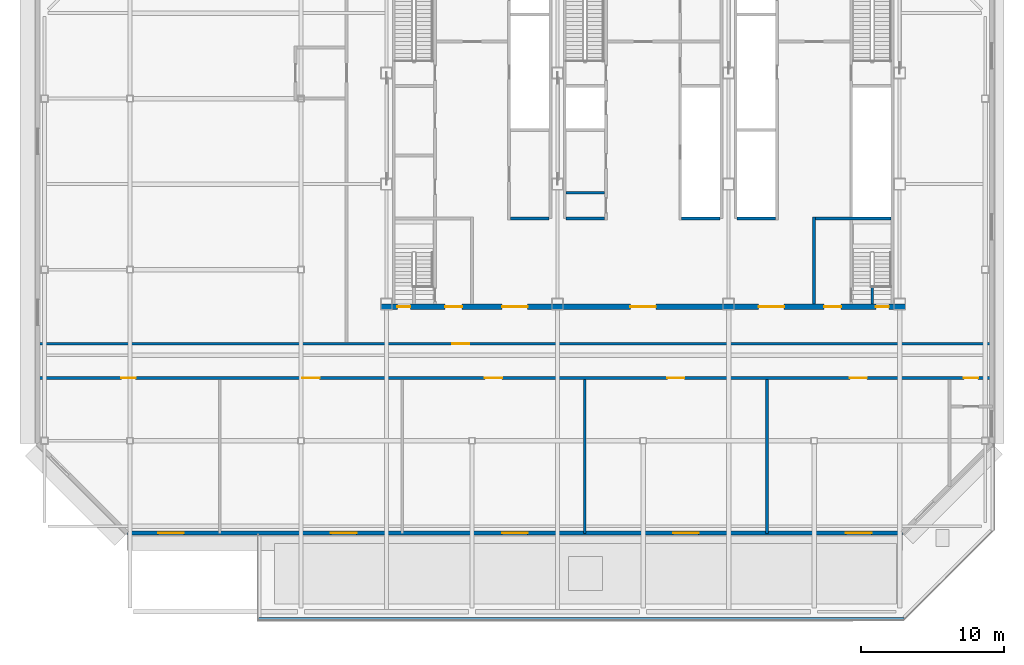
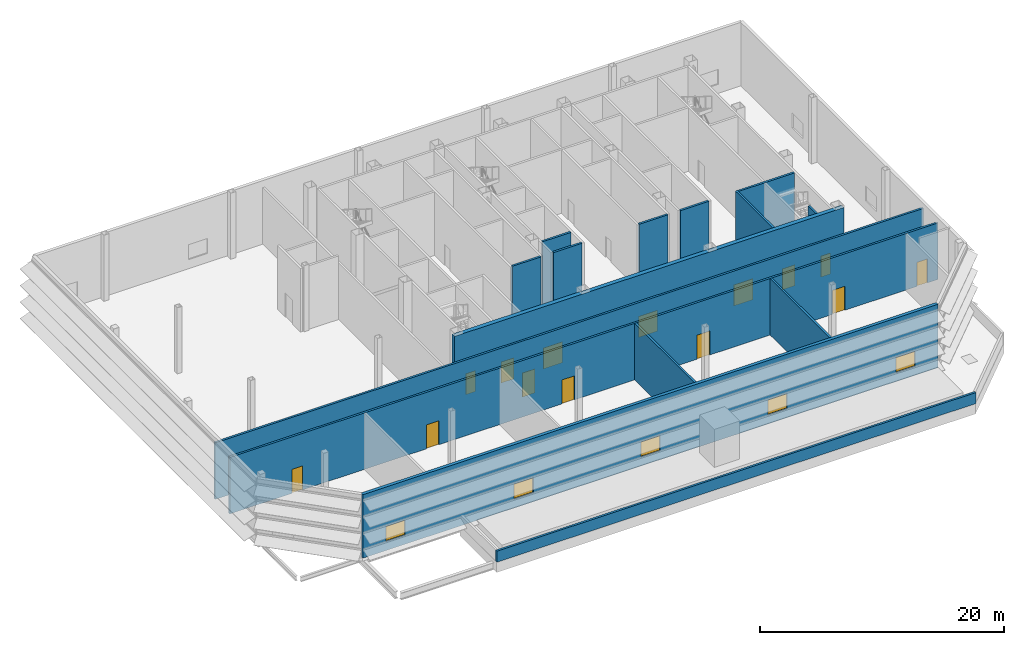
# One storey, part 5 of 14: 15 walls, 14 doors, 5 windows, 19 openings.
"""IFC4 building model written with IfcOpenShell, lengths in metres."""

from ifc_helpers import new_model, si_unit, direction, frame, frame_2d, origin, place, context, subcontext, project, spatial, rectangle, extrude, material, layer, layer_set, type_object, element, fill, save


model = new_model("IFC4")

# Units and contexts
model_context = context("Model", 3, precision=1e-05, world=origin(), true_north=direction((0.0, 1.0)))
body_context = subcontext(model_context, "Body", "Model", "MODEL_VIEW")
ifc_project = project(units=[si_unit("LENGTHUNIT", "METRE"), si_unit("AREAUNIT", "SQUARE_METRE"), si_unit("VOLUMEUNIT", "CUBIC_METRE"), si_unit("PLANEANGLEUNIT", "RADIAN"), si_unit("MASSUNIT", "GRAM", prefix="KILO")], contexts=[model_context])

# Site, building, storey
site_placement = place(None, origin())
site = spatial("IfcSite", under=ifc_project, at=site_placement, CompositionType="ELEMENT")
building_placement = place(site_placement, origin())
building = spatial("IfcBuilding", under=site, at=building_placement, Name="Sorahane Residences", CompositionType="ELEMENT")
storey_placement = place(building_placement, frame((0.0, 0.0, 331.199951171875)))
storey = spatial("IfcBuildingStorey", under=building, at=storey_placement, Name="L79", CompositionType="ELEMENT", Elevation=331.199951171875)

# Wall, opening, door
ifc_material_1 = material(Name="Concrete blockwork C20 wall", Category="masonry")
ifc_layer_1 = layer(ifc_material_1, 0.199951171875)
ifc_layer_set_1 = layer_set([ifc_layer_1], Name="Corridor wall 200 EI 120")
wall_type_1 = type_object("IfcWallType", Name="Corridor wall 200 EI 120", PredefinedType="SOLIDWALL", material=ifc_layer_set_1)
wall_1_placement = place(storey_placement, frame((-18.5, 18.800048828125, 0.0), z_axis=(0.0, 0.0, 1.0), x_axis=(1.0, 0.0, 0.0)))
wall_1 = element("IfcWall", 1, at=wall_1_placement, inside=storey, type_object=wall_type_1, Name="L79 corridor wall", PredefinedType="SOLIDWALL", context=body_context, shape_type="SweptSolid", body=[
    extrude(rectangle(XDim=67.0, YDim=0.199951171875, at=frame_2d((33.5, 0.0))), origin(), (0.0, 0.0, 1.0), 5.650146484375),
])
opening_1_placement = place(wall_1_placement, frame((29.10009765625, 0.0, 0.0)))
opening_1 = element("IfcOpeningElement", 2, at=opening_1_placement, cuts=wall_1, Name="Opening L79-08", PredefinedType="OPENING", context=body_context, shape_type="SweptSolid", body=[
    extrude(rectangle(XDim=1.199951171875, YDim=2.39990234375, at=frame_2d((0.60009765625, 1.199951171875))), frame((0.0, 0.10986328125, 0.0), z_axis=(0.0, -1.0, 0.0), x_axis=(1.0, 0.0, 0.0)), (0.0, 0.0, 1.0), 0.219970703125),
])
ifc_material_2 = material(Name="Steel", Category="steel")
door_type_1 = type_object("IfcDoorType", Name="Lobby door 1200x2400 FD60", OperationType="NOTDEFINED", PredefinedType="DOOR", material=ifc_material_2)
door_1_placement = place(opening_1_placement, frame((1.199951171875, 0.0, 0.0), z_axis=(0.0, 0.0, 1.0), x_axis=(-1.0, 0.0, 0.0)))
door_1 = element("IfcDoor", 3, at=door_1_placement, inside=storey, type_object=door_type_1, Name="Lobby door L79-08", OperationType="SINGLE_SWING_LEFT", OverallHeight=2.39990234375, OverallWidth=1.199951171875, PredefinedType="DOOR", context=body_context, shape_type="SweptSolid", body=[
    extrude(rectangle(XDim=1.199951171875, YDim=2.39990234375, at=frame_2d((0.60009765625, 1.199951171875))), frame((0.0, 0.02490234375, 0.0), z_axis=(0.0, -1.0, 0.0), x_axis=(1.0, 0.0, 0.0)), (0.0, 0.0, 1.0), 0.050048828125),
])
fill(opening_1, door_1)

# Wall, openings, windows
ifc_material_3 = material(Name="Graphite insulated metal-clad wall")
ifc_layer_2 = layer(ifc_material_3, 0.300048828125)
ifc_layer_set_2 = layer_set([ifc_layer_2], Name="External wall insulated metal-clad 300")
wall_type_2 = type_object("IfcWallType", Name="External wall insulated metal-clad 300", PredefinedType="SOLIDWALL", material=ifc_layer_set_2)
wall_2_placement = place(storey_placement, frame((-12.194580078125, 5.530029296875, 0.0), z_axis=(0.0, 0.0, 1.0), x_axis=(1.0, 0.0, 0.0)))
wall_2 = element("IfcWall", 4, at=wall_2_placement, inside=storey, type_object=wall_type_2, Name="External plant wall L79 S1", PredefinedType="SOLIDWALL", context=body_context, shape_type="SweptSolid", body=[
    extrude(rectangle(XDim=54.38916015625, YDim=0.300048828125, at=frame_2d((27.194580078125, 0.0))), origin(), (0.0, 0.0, 1.0), 6.35009765625),
])
opening_2_placement = place(wall_2_placement, frame((2.17041015625, 0.0, 0.89990234375)))
opening_2 = element("IfcOpeningElement", 5, at=opening_2_placement, cuts=wall_2, Name="Opening W-R1", PredefinedType="OPENING", context=body_context, shape_type="SweptSolid", body=[
    extrude(rectangle(XDim=1.800048828125, YDim=1.5, at=frame_2d((0.89990234375, 0.75))), frame((0.0, 0.159912109375, 0.0), z_axis=(0.0, -1.0, 0.0), x_axis=(1.0, 0.0, 0.0)), (0.0, 0.0, 1.0), 0.320068359375),
])
opening_3_placement = place(wall_2_placement, frame((14.294677734375, 0.0, 0.89990234375)))
opening_3 = element("IfcOpeningElement", 6, at=opening_3_placement, cuts=wall_2, Name="Opening W-R1", PredefinedType="OPENING", context=body_context, shape_type="SweptSolid", body=[
    extrude(rectangle(XDim=1.800048828125, YDim=1.5, at=frame_2d((0.89990234375, 0.75))), frame((0.0, 0.159912109375, 0.0), z_axis=(0.0, -1.0, 0.0), x_axis=(1.0, 0.0, 0.0)), (0.0, 0.0, 1.0), 0.320068359375),
])
opening_4_placement = place(wall_2_placement, frame((26.294677734375, 0.0, 0.89990234375)))
opening_4 = element("IfcOpeningElement", 7, at=opening_4_placement, cuts=wall_2, Name="Opening W-R1", PredefinedType="OPENING", context=body_context, shape_type="SweptSolid", body=[
    extrude(rectangle(XDim=1.800048828125, YDim=1.5, at=frame_2d((0.89990234375, 0.75))), frame((0.0, 0.159912109375, 0.0), z_axis=(0.0, -1.0, 0.0), x_axis=(1.0, 0.0, 0.0)), (0.0, 0.0, 1.0), 0.320068359375),
])
opening_5_placement = place(wall_2_placement, frame((38.294677734375, 0.0, 0.89990234375)))
opening_5 = element("IfcOpeningElement", 8, at=opening_5_placement, cuts=wall_2, Name="Opening W-R1", PredefinedType="OPENING", context=body_context, shape_type="SweptSolid", body=[
    extrude(rectangle(XDim=1.800048828125, YDim=1.5, at=frame_2d((0.89990234375, 0.75))), frame((0.0, 0.159912109375, 0.0), z_axis=(0.0, -1.0, 0.0), x_axis=(1.0, 0.0, 0.0)), (0.0, 0.0, 1.0), 0.320068359375),
])
opening_6_placement = place(wall_2_placement, frame((50.4189453125, 0.0, 0.89990234375)))
opening_6 = element("IfcOpeningElement", 9, at=opening_6_placement, cuts=wall_2, Name="Opening W-R1", PredefinedType="OPENING", context=body_context, shape_type="SweptSolid", body=[
    extrude(rectangle(XDim=1.800048828125, YDim=1.5, at=frame_2d((0.89990234375, 0.75))), frame((0.0, 0.159912109375, 0.0), z_axis=(0.0, -1.0, 0.0), x_axis=(1.0, 0.0, 0.0)), (0.0, 0.0, 1.0), 0.320068359375),
])
ifc_material_4 = material(Name="Dark aluminium and glass", Category="aluminium")
window_type = type_object("IfcWindowType", Name="Openable Class B fire window dark aluminium 1800x1500", PartitioningType="SINGLE_PANEL", PredefinedType="WINDOW", material=ifc_material_4)
window_1_placement = place(opening_2_placement, origin())
window_1 = element("IfcWindow", 10, at=window_1_placement, inside=storey, type_object=window_type, Name="Openable fire window L79 S1.1", OverallHeight=1.5, OverallWidth=1.800048828125, PartitioningType="SINGLE_PANEL", PredefinedType="WINDOW", context=body_context, shape_type="SweptSolid", body=[
    extrude(rectangle(XDim=1.800048828125, YDim=1.5, at=frame_2d((0.89990234375, 0.75))), frame((0.0, 0.030029296875, 0.0), z_axis=(0.0, -1.0, 0.0), x_axis=(1.0, 0.0, 0.0)), (0.0, 0.0, 1.0), 0.06005859375),
])
fill(opening_2, window_1)
window_2_placement = place(opening_3_placement, origin())
window_2 = element("IfcWindow", 11, at=window_2_placement, inside=storey, type_object=window_type, Name="Openable fire window L79 S1.3", OverallHeight=1.5, OverallWidth=1.800048828125, PartitioningType="SINGLE_PANEL", PredefinedType="WINDOW", context=body_context, shape_type="SweptSolid", body=[
    extrude(rectangle(XDim=1.800048828125, YDim=1.5, at=frame_2d((0.89990234375, 0.75))), frame((0.0, 0.030029296875, 0.0), z_axis=(0.0, -1.0, 0.0), x_axis=(1.0, 0.0, 0.0)), (0.0, 0.0, 1.0), 0.06005859375),
])
fill(opening_3, window_2)
window_3_placement = place(opening_4_placement, origin())
window_3 = element("IfcWindow", 12, at=window_3_placement, inside=storey, type_object=window_type, Name="Openable fire window L79 S1.5", OverallHeight=1.5, OverallWidth=1.800048828125, PartitioningType="SINGLE_PANEL", PredefinedType="WINDOW", context=body_context, shape_type="SweptSolid", body=[
    extrude(rectangle(XDim=1.800048828125, YDim=1.5, at=frame_2d((0.89990234375, 0.75))), frame((0.0, 0.030029296875, 0.0), z_axis=(0.0, -1.0, 0.0), x_axis=(1.0, 0.0, 0.0)), (0.0, 0.0, 1.0), 0.06005859375),
])
fill(opening_4, window_3)
window_4_placement = place(opening_5_placement, origin())
window_4 = element("IfcWindow", 13, at=window_4_placement, inside=storey, type_object=window_type, Name="Openable fire window L79 S1.7", OverallHeight=1.5, OverallWidth=1.800048828125, PartitioningType="SINGLE_PANEL", PredefinedType="WINDOW", context=body_context, shape_type="SweptSolid", body=[
    extrude(rectangle(XDim=1.800048828125, YDim=1.5, at=frame_2d((0.89990234375, 0.75))), frame((0.0, 0.030029296875, 0.0), z_axis=(0.0, -1.0, 0.0), x_axis=(1.0, 0.0, 0.0)), (0.0, 0.0, 1.0), 0.06005859375),
])
fill(opening_5, window_4)
window_5_placement = place(opening_6_placement, origin())
window_5 = element("IfcWindow", 14, at=window_5_placement, inside=storey, type_object=window_type, Name="Openable fire window L79 S1.9", OverallHeight=1.5, OverallWidth=1.800048828125, PartitioningType="SINGLE_PANEL", PredefinedType="WINDOW", context=body_context, shape_type="SweptSolid", body=[
    extrude(rectangle(XDim=1.800048828125, YDim=1.5, at=frame_2d((0.89990234375, 0.75))), frame((0.0, 0.030029296875, 0.0), z_axis=(0.0, -1.0, 0.0), x_axis=(1.0, 0.0, 0.0)), (0.0, 0.0, 1.0), 0.06005859375),
])
fill(opening_6, window_5)

# Wall, openings, doors
ifc_material_5 = material(Name="Concrete blockwork C20 wall", Category="masonry")
ifc_layer_3 = layer(ifc_material_5, 0.199951171875)
ifc_layer_set_3 = layer_set([ifc_layer_3], Name="Fire wall 200 EI 120")
wall_type_3 = type_object("IfcWallType", Name="Fire wall 200 EI 120", PredefinedType="SOLIDWALL", material=ifc_layer_set_3)
wall_3_placement = place(storey_placement, frame((-18.5, 16.39990234375, 0.0), z_axis=(0.0, 0.0, 1.0), x_axis=(1.0, 0.0, 0.0)))
wall_3 = element("IfcWall", 15, at=wall_3_placement, inside=storey, type_object=wall_type_3, Name="L79 fire wall", PredefinedType="SOLIDWALL", context=body_context, shape_type="SweptSolid", body=[
    extrude(rectangle(XDim=67.0, YDim=0.199951171875, at=frame_2d((33.5, 0.0))), origin(), (0.0, 0.0, 1.0), 5.650146484375),
])
opening_7_placement = place(wall_3_placement, frame((5.89990234375, 0.0, 0.0)))
opening_7 = element("IfcOpeningElement", 16, at=opening_7_placement, cuts=wall_3, Name="Opening L79-01", PredefinedType="OPENING", context=body_context, shape_type="SweptSolid", body=[
    extrude(rectangle(XDim=1.0, YDim=2.39990234375, at=frame_2d((0.5, 1.199951171875))), frame((0.0, 0.10986328125, 0.0), z_axis=(0.0, -1.0, 0.0), x_axis=(1.0, 0.0, 0.0)), (0.0, 0.0, 1.0), 0.219970703125),
])
opening_8_placement = place(wall_3_placement, frame((18.60009765625, 0.0, 0.0)))
opening_8 = element("IfcOpeningElement", 17, at=opening_8_placement, cuts=wall_3, Name="Opening L79-02", PredefinedType="OPENING", context=body_context, shape_type="SweptSolid", body=[
    extrude(rectangle(XDim=1.199951171875, YDim=2.39990234375, at=frame_2d((0.60009765625, 1.199951171875))), frame((0.0, 0.10986328125, 0.0), z_axis=(0.0, -1.0, 0.0), x_axis=(1.0, 0.0, 0.0)), (0.0, 0.0, 1.0), 0.219970703125),
])
opening_9_placement = place(wall_3_placement, frame((31.39990234375, 0.0, 0.0)))
opening_9 = element("IfcOpeningElement", 18, at=opening_9_placement, cuts=wall_3, Name="Opening L79-03", PredefinedType="OPENING", context=body_context, shape_type="SweptSolid", body=[
    extrude(rectangle(XDim=1.199951171875, YDim=2.39990234375, at=frame_2d((0.60009765625, 1.199951171875))), frame((0.0, 0.10986328125, 0.0), z_axis=(0.0, -1.0, 0.0), x_axis=(1.0, 0.0, 0.0)), (0.0, 0.0, 1.0), 0.219970703125),
])
opening_10_placement = place(wall_3_placement, frame((44.199951171875, 0.0, 0.0)))
opening_10 = element("IfcOpeningElement", 19, at=opening_10_placement, cuts=wall_3, Name="Opening L79-04", PredefinedType="OPENING", context=body_context, shape_type="SweptSolid", body=[
    extrude(rectangle(XDim=1.199951171875, YDim=2.39990234375, at=frame_2d((0.60009765625, 1.199951171875))), frame((0.0, 0.10986328125, 0.0), z_axis=(0.0, -1.0, 0.0), x_axis=(1.0, 0.0, 0.0)), (0.0, 0.0, 1.0), 0.219970703125),
])
opening_11_placement = place(wall_3_placement, frame((57.0, 0.0, 0.0)))
opening_11 = element("IfcOpeningElement", 20, at=opening_11_placement, cuts=wall_3, Name="Opening L79-05", PredefinedType="OPENING", context=body_context, shape_type="SweptSolid", body=[
    extrude(rectangle(XDim=1.199951171875, YDim=2.39990234375, at=frame_2d((0.60009765625, 1.199951171875))), frame((0.0, 0.10986328125, 0.0), z_axis=(0.0, -1.0, 0.0), x_axis=(1.0, 0.0, 0.0)), (0.0, 0.0, 1.0), 0.219970703125),
])
opening_12_placement = place(wall_3_placement, frame((65.0, 0.0, 0.0)))
opening_12 = element("IfcOpeningElement", 21, at=opening_12_placement, cuts=wall_3, Name="Opening L79-06", PredefinedType="OPENING", context=body_context, shape_type="SweptSolid", body=[
    extrude(rectangle(XDim=1.0, YDim=2.39990234375, at=frame_2d((0.5, 1.199951171875))), frame((0.0, 0.10986328125, 0.0), z_axis=(0.0, -1.0, 0.0), x_axis=(1.0, 0.0, 0.0)), (0.0, 0.0, 1.0), 0.219970703125),
])
ifc_material_6 = material(Name="Steel", Category="steel")
door_type_2 = type_object("IfcDoorType", Name="Fire door 1000x2400 FD60", OperationType="NOTDEFINED", PredefinedType="DOOR", material=ifc_material_6)
door_2_placement = place(opening_7_placement, origin())
door_2 = element("IfcDoor", 22, at=door_2_placement, inside=storey, type_object=door_type_2, Name="Fire door L79-01", OperationType="SINGLE_SWING_LEFT", OverallHeight=2.39990234375, OverallWidth=1.0, PredefinedType="DOOR", context=body_context, shape_type="SweptSolid", body=[
    extrude(rectangle(XDim=1.0, YDim=2.39990234375, at=frame_2d((0.5, 1.199951171875))), frame((0.0, 0.02490234375, 0.0), z_axis=(0.0, -1.0, 0.0), x_axis=(1.0, 0.0, 0.0)), (0.0, 0.0, 1.0), 0.050048828125),
])
fill(opening_7, door_2)
door_3_placement = place(opening_12_placement, origin())
door_3 = element("IfcDoor", 23, at=door_3_placement, inside=storey, type_object=door_type_2, Name="Fire door L79-06", OperationType="SINGLE_SWING_RIGHT", OverallHeight=2.39990234375, OverallWidth=1.0, PredefinedType="DOOR", context=body_context, shape_type="SweptSolid", body=[
    extrude(rectangle(XDim=1.0, YDim=2.39990234375, at=frame_2d((0.5, 1.199951171875))), frame((0.0, 0.02490234375, 0.0), z_axis=(0.0, -1.0, 0.0), x_axis=(1.0, 0.0, 0.0)), (0.0, 0.0, 1.0), 0.050048828125),
])
fill(opening_12, door_3)
ifc_material_7 = material(Name="Steel", Category="steel")
door_type_3 = type_object("IfcDoorType", Name="Plant door 1200x2400 FD60", OperationType="NOTDEFINED", PredefinedType="DOOR", material=ifc_material_7)
door_4_placement = place(opening_8_placement, origin())
door_4 = element("IfcDoor", 24, at=door_4_placement, inside=storey, type_object=door_type_3, Name="Plant door L79-02", OperationType="SINGLE_SWING_RIGHT", OverallHeight=2.39990234375, OverallWidth=1.199951171875, PredefinedType="DOOR", context=body_context, shape_type="SweptSolid", body=[
    extrude(rectangle(XDim=1.199951171875, YDim=2.39990234375, at=frame_2d((0.60009765625, 1.199951171875))), frame((0.0, 0.02490234375, 0.0), z_axis=(0.0, -1.0, 0.0), x_axis=(1.0, 0.0, 0.0)), (0.0, 0.0, 1.0), 0.050048828125),
])
fill(opening_8, door_4)
door_5_placement = place(opening_9_placement, frame((1.199951171875, 0.0, 0.0), z_axis=(0.0, 0.0, 1.0), x_axis=(-1.0, 0.0, 0.0)))
door_5 = element("IfcDoor", 25, at=door_5_placement, inside=storey, type_object=door_type_3, Name="Plant door L79-03", OperationType="SINGLE_SWING_RIGHT", OverallHeight=2.39990234375, OverallWidth=1.199951171875, PredefinedType="DOOR", context=body_context, shape_type="SweptSolid", body=[
    extrude(rectangle(XDim=1.199951171875, YDim=2.39990234375, at=frame_2d((0.60009765625, 1.199951171875))), frame((0.0, 0.02490234375, 0.0), z_axis=(0.0, -1.0, 0.0), x_axis=(1.0, 0.0, 0.0)), (0.0, 0.0, 1.0), 0.050048828125),
])
fill(opening_9, door_5)
door_6_placement = place(opening_10_placement, frame((1.199951171875, 0.0, 0.0), z_axis=(0.0, 0.0, 1.0), x_axis=(-1.0, 0.0, 0.0)))
door_6 = element("IfcDoor", 26, at=door_6_placement, inside=storey, type_object=door_type_3, Name="Plant door L79-04", OperationType="SINGLE_SWING_LEFT", OverallHeight=2.39990234375, OverallWidth=1.199951171875, PredefinedType="DOOR", context=body_context, shape_type="SweptSolid", body=[
    extrude(rectangle(XDim=1.199951171875, YDim=2.39990234375, at=frame_2d((0.60009765625, 1.199951171875))), frame((0.0, 0.02490234375, 0.0), z_axis=(0.0, -1.0, 0.0), x_axis=(1.0, 0.0, 0.0)), (0.0, 0.0, 1.0), 0.050048828125),
])
fill(opening_10, door_6)
door_7_placement = place(opening_11_placement, origin())
door_7 = element("IfcDoor", 27, at=door_7_placement, inside=storey, type_object=door_type_3, Name="Plant door L79-05", OperationType="SINGLE_SWING_LEFT", OverallHeight=2.39990234375, OverallWidth=1.199951171875, PredefinedType="DOOR", context=body_context, shape_type="SweptSolid", body=[
    extrude(rectangle(XDim=1.199951171875, YDim=2.39990234375, at=frame_2d((0.60009765625, 1.199951171875))), frame((0.0, 0.02490234375, 0.0), z_axis=(0.0, -1.0, 0.0), x_axis=(1.0, 0.0, 0.0)), (0.0, 0.0, 1.0), 0.050048828125),
])
fill(opening_11, door_7)

# Walls
ifc_material_8 = material(Name="Concrete C30", Category="concrete")
ifc_layer_4 = layer(ifc_material_8, 0.199951171875)
ifc_layer_set_4 = layer_set([ifc_layer_4], Name="Front room wall 200 EI 120")
wall_type_4 = type_object("IfcWallType", Name="Front room wall 200 EI 120", PredefinedType="PARTITIONING", material=ifc_layer_set_4)
wall_4_placement = place(storey_placement, frame((36.0, 21.60009765625, 0.0), z_axis=(0.0, 0.0, 1.0), x_axis=(0.0, 1.0, 0.0)))
element("IfcWall", 28, at=wall_4_placement, inside=storey, type_object=wall_type_4, Name="L79 front room wall", PredefinedType="PARTITIONING", context=body_context, shape_type="SweptSolid", body=[
    extrude(rectangle(XDim=6.099853515625, YDim=0.199951171875, at=frame_2d((3.0498046875, 0.0))), origin(), (0.0, 0.0, 1.0), 6.35009765625),
])
ifc_material_9 = material(Name="Concrete C30", Category="concrete")
ifc_layer_5 = layer(ifc_material_9, 0.199951171875)
ifc_layer_set_5 = layer_set([ifc_layer_5], Name="Lift shaft wall 200 EI 120")
wall_type_5 = type_object("IfcWallType", Name="Lift shaft wall 200 EI 120", PredefinedType="SOLIDWALL", material=ifc_layer_set_5)
wall_5_placement = place(storey_placement, frame((30.60009765625, 27.60009765625, 0.0), z_axis=(0.0, 0.0, 1.0), x_axis=(1.0, 0.0, 0.0)))
element("IfcWall", 29, at=wall_5_placement, inside=storey, type_object=wall_type_5, Name="L79 lift shaft wall", PredefinedType="SOLIDWALL", context=body_context, shape_type="SweptSolid", body=[
    extrude(rectangle(XDim=2.699951171875, YDim=0.199951171875, at=frame_2d((1.35009765625, 0.0))), origin(), (0.0, 0.0, 1.0), 6.35009765625),
])
ifc_material_10 = material(Name="Concrete C35", Category="concrete")
ifc_layer_6 = layer(ifc_material_10, 0.199951171875)
ifc_layer_set_6 = layer_set([ifc_layer_6], Name="Parapet wall Concrete C35 200")
wall_type_6 = type_object("IfcWallType", Name="Parapet wall Concrete C35 200", PredefinedType="PARAPET", material=ifc_layer_set_6)
wall_6_placement = place(storey_placement, frame((42.30712890625, -0.5, 0.0), z_axis=(0.0, 0.0, 1.0), x_axis=(-1.0, 0.0, 0.0)))
element("IfcWall", 30, at=wall_6_placement, inside=storey, type_object=wall_type_6, Name="Roof parapet L79.1.1.3", PredefinedType="PARAPET", context=body_context, shape_type="SweptSolid", body=[
    extrude(rectangle(XDim=45.30712890625, YDim=0.199951171875, at=frame_2d((22.653564453125, 0.0))), origin(), (0.0, 0.0, 1.0), 1.10009765625),
])
ifc_material_11 = material(Name="Concrete blockwork C20 wall", Category="masonry")
ifc_layer_7 = layer(ifc_material_11, 0.199951171875)
ifc_layer_set_7 = layer_set([ifc_layer_7], Name="Plant wall 200 EI 120")
wall_type_7 = type_object("IfcWallType", Name="Plant wall 200 EI 120", PredefinedType="SOLIDWALL", material=ifc_layer_set_7)
for number, where, z_axis, x_axis, name in (
    (31, (19.89990234375, 5.5, 0.0), (0.0, 0.0, 1.0), (0.0, 1.0, 0.0), "L79 plant wall"),
    (32, (32.699951171875, 5.5, 0.0), (0.0, 0.0, 1.0), (0.0, 1.0, 0.0), "L79 plant wall"),
):
    element("IfcWall", number, at=place(storey_placement, frame(where, z_axis=z_axis, x_axis=x_axis)), inside=storey, type_object=wall_type_7, Name=name, PredefinedType="SOLIDWALL", context=body_context, shape_type="SweptSolid", body=[
        extrude(rectangle(XDim=10.800048828125, YDim=0.199951171875, at=frame_2d((5.39990234375, 0.0))), origin(), (0.0, 0.0, 1.0), 5.650146484375),
    ])
ifc_material_12 = material(Name="Concrete C30", Category="concrete")
ifc_layer_8 = layer(ifc_material_12, 0.199951171875)
ifc_layer_set_8 = layer_set([ifc_layer_8], Name="Riser shaft wall 200 EI 120")
wall_type_8 = type_object("IfcWallType", Name="Riser shaft wall 200 EI 120", PredefinedType="SOLIDWALL", material=ifc_layer_set_8)
wall_7_placement = place(storey_placement, frame((26.699951171875, 27.60009765625, 0.0), z_axis=(0.0, 0.0, 1.0), x_axis=(1.0, 0.0, 0.0)))
element("IfcWall", 33, at=wall_7_placement, inside=storey, type_object=wall_type_8, Name="L79 riser wall", PredefinedType="SOLIDWALL", context=body_context, shape_type="SweptSolid", body=[
    extrude(rectangle(XDim=2.699951171875, YDim=0.199951171875, at=frame_2d((1.35009765625, 0.0))), origin(), (0.0, 0.0, 1.0), 6.35009765625),
])
ifc_material_13 = material(Name="Concrete C30", Category="concrete")
ifc_layer_9 = layer(ifc_material_13, 0.199951171875)
ifc_layer_set_9 = layer_set([ifc_layer_9], Name="Service room partition 200 EI 60")
wall_type_9 = type_object("IfcWallType", Name="Service room partition 200 EI 60", PredefinedType="PARTITIONING", material=ifc_layer_set_9)
for number, where, z_axis, x_axis, name in (
    (34, (14.699951171875, 27.60009765625, 0.0), (0.0, 0.0, 1.0), (1.0, 0.0, 0.0), "L79 service room wall"),
    (35, (18.60009765625, 27.60009765625, 0.0), (0.0, 0.0, 1.0), (1.0, 0.0, 0.0), "L79 service room wall"),
    (36, (18.60009765625, 29.39990234375, 0.0), (0.0, 0.0, 1.0), (1.0, 0.0, 0.0), "L79 service room wall"),
):
    element("IfcWall", number, at=place(storey_placement, frame(where, z_axis=z_axis, x_axis=x_axis)), inside=storey, type_object=wall_type_9, Name=name, PredefinedType="PARTITIONING", context=body_context, shape_type="SweptSolid", body=[
        extrude(rectangle(XDim=2.699951171875, YDim=0.199951171875, at=frame_2d((1.35009765625, 0.0))), origin(), (0.0, 0.0, 1.0), 6.35009765625),
    ])
ifc_material_14 = material(Name="Concrete C30", Category="concrete")
ifc_layer_10 = layer(ifc_material_14, 0.199951171875)
ifc_layer_set_10 = layer_set([ifc_layer_10], Name="Stair enclosure wall 200 EI 120")
wall_type_10 = type_object("IfcWallType", Name="Stair enclosure wall 200 EI 120", PredefinedType="SOLIDWALL", material=ifc_layer_set_10)
wall_8_placement = place(storey_placement, frame((40.074951171875, 21.60009765625, 0.0), z_axis=(0.0, 0.0, 1.0), x_axis=(0.0, 1.0, 0.0)))
element("IfcWall", 37, at=wall_8_placement, inside=storey, type_object=wall_type_10, Name="L79 stair enclosure wall", PredefinedType="SOLIDWALL", context=body_context, shape_type="SweptSolid", body=[
    extrude(rectangle(XDim=1.25, YDim=0.199951171875, at=frame_2d((0.625, 0.0))), origin(), (0.0, 0.0, 1.0), 6.35009765625),
])
wall_9_placement = place(storey_placement, frame((36.10009765625, 27.60009765625, 0.0), z_axis=(0.0, 0.0, 1.0), x_axis=(1.0, 0.0, 0.0)))
element("IfcWall", 38, at=wall_9_placement, inside=storey, type_object=wall_type_10, Name="L79 stair enclosure wall", PredefinedType="SOLIDWALL", context=body_context, shape_type="SweptSolid", body=[
    extrude(rectangle(XDim=5.2998046875, YDim=0.199951171875, at=frame_2d((2.64990234375, 0.0))), origin(), (0.0, 0.0, 1.0), 6.35009765625),
])

# Wall, openings, doors
ifc_material_15 = material(Name="Concrete C30", Category="concrete")
ifc_layer_11 = layer(ifc_material_15, 0.39990234375)
ifc_layer_set_11 = layer_set([ifc_layer_11], Name="Waiting hall wall 400 EI 120")
wall_type_11 = type_object("IfcWallType", Name="Waiting hall wall 400 EI 120", PredefinedType="SOLIDWALL", material=ifc_layer_set_11)
wall_10_placement = place(storey_placement, frame((5.60009765625, 21.39990234375, 0.0), z_axis=(0.0, 0.0, 1.0), x_axis=(1.0, 0.0, 0.0)))
wall_10 = element("IfcWall", 39, at=wall_10_placement, inside=storey, type_object=wall_type_11, Name="L79 waiting hall wall", PredefinedType="SOLIDWALL", context=body_context, shape_type="SweptSolid", body=[
    extrude(rectangle(XDim=36.7998046875, YDim=0.39990234375, at=frame_2d((18.39990234375, 0.0))), origin(), (0.0, 0.0, 1.0), 6.35009765625),
])
opening_13_placement = place(wall_10_placement, frame((8.5, 0.0, 0.0)))
opening_13 = element("IfcOpeningElement", 40, at=opening_13_placement, cuts=wall_10, Name="Opening L79-C01", PredefinedType="OPENING", context=body_context, shape_type="SweptSolid", body=[
    extrude(rectangle(XDim=1.800048828125, YDim=2.10009765625, at=frame_2d((0.89990234375, 1.050048828125))), frame((0.0, 0.2099609375, 0.0), z_axis=(0.0, -1.0, 0.0), x_axis=(1.0, 0.0, 0.0)), (0.0, 0.0, 1.0), 0.419921875),
])
opening_14_placement = place(wall_10_placement, frame((17.5, 0.0, 0.0)))
opening_14 = element("IfcOpeningElement", 41, at=opening_14_placement, cuts=wall_10, Name="Opening L79-C02", PredefinedType="OPENING", context=body_context, shape_type="SweptSolid", body=[
    extrude(rectangle(XDim=1.800048828125, YDim=2.10009765625, at=frame_2d((0.89990234375, 1.050048828125))), frame((0.0, 0.2099609375, 0.0), z_axis=(0.0, -1.0, 0.0), x_axis=(1.0, 0.0, 0.0)), (0.0, 0.0, 1.0), 0.419921875),
])
opening_15_placement = place(wall_10_placement, frame((26.5, 0.0, 0.0)))
opening_15 = element("IfcOpeningElement", 42, at=opening_15_placement, cuts=wall_10, Name="Opening L79-C03", PredefinedType="OPENING", context=body_context, shape_type="SweptSolid", body=[
    extrude(rectangle(XDim=1.800048828125, YDim=2.10009765625, at=frame_2d((0.89990234375, 1.050048828125))), frame((0.0, 0.2099609375, 0.0), z_axis=(0.0, -1.0, 0.0), x_axis=(1.0, 0.0, 0.0)), (0.0, 0.0, 1.0), 0.419921875),
])
opening_16_placement = place(wall_10_placement, frame((4.5, 0.0, 0.0)))
opening_16 = element("IfcOpeningElement", 43, at=opening_16_placement, cuts=wall_10, Name="Opening L79-C04", PredefinedType="OPENING", context=body_context, shape_type="SweptSolid", body=[
    extrude(rectangle(XDim=1.199951171875, YDim=2.10009765625, at=frame_2d((0.60009765625, 1.050048828125))), frame((0.0, 0.2099609375, 0.0), z_axis=(0.0, -1.0, 0.0), x_axis=(1.0, 0.0, 0.0)), (0.0, 0.0, 1.0), 0.419921875),
])
opening_17_placement = place(wall_10_placement, frame((31.10009765625, 0.0, 0.0)))
opening_17 = element("IfcOpeningElement", 44, at=opening_17_placement, cuts=wall_10, Name="Opening L79-C05", PredefinedType="OPENING", context=body_context, shape_type="SweptSolid", body=[
    extrude(rectangle(XDim=1.199951171875, YDim=2.10009765625, at=frame_2d((0.60009765625, 1.050048828125))), frame((0.0, 0.2099609375, 0.0), z_axis=(0.0, -1.0, 0.0), x_axis=(1.0, 0.0, 0.0)), (0.0, 0.0, 1.0), 0.419921875),
])
opening_18_placement = place(wall_10_placement, frame((1.16259765625, 0.0, 0.0)))
opening_18 = element("IfcOpeningElement", 45, at=opening_18_placement, cuts=wall_10, Name="Opening L79-C22", PredefinedType="OPENING", context=body_context, shape_type="SweptSolid", body=[
    extrude(rectangle(XDim=0.89990234375, YDim=2.10009765625, at=frame_2d((0.449951171875, 1.050048828125))), frame((0.0, 0.2099609375, 0.0), z_axis=(0.0, -1.0, 0.0), x_axis=(1.0, 0.0, 0.0)), (0.0, 0.0, 1.0), 0.419921875),
])
opening_19_placement = place(wall_10_placement, frame((34.737548828125, 0.0, 0.0)))
opening_19 = element("IfcOpeningElement", 46, at=opening_19_placement, cuts=wall_10, Name="Opening L79-C25", PredefinedType="OPENING", context=body_context, shape_type="SweptSolid", body=[
    extrude(rectangle(XDim=0.89990234375, YDim=2.10009765625, at=frame_2d((0.449951171875, 1.050048828125))), frame((0.0, 0.2099609375, 0.0), z_axis=(0.0, -1.0, 0.0), x_axis=(1.0, 0.0, 0.0)), (0.0, 0.0, 1.0), 0.419921875),
])
ifc_material_16 = material(Name="Steel", Category="steel")
door_type_4 = type_object("IfcDoorType", Name="Refuge stair door 900x2100 FD120", OperationType="NOTDEFINED", PredefinedType="DOOR", material=ifc_material_16)
door_8_placement = place(opening_18_placement, origin())
door_8 = element("IfcDoor", 47, at=door_8_placement, inside=storey, type_object=door_type_4, Name="Refuge stair door S4 L79", OperationType="SINGLE_SWING_LEFT", OverallHeight=2.10009765625, OverallWidth=0.89990234375, PredefinedType="DOOR", context=body_context, shape_type="SweptSolid", body=[
    extrude(rectangle(XDim=0.89990234375, YDim=2.10009765625, at=frame_2d((0.449951171875, 1.050048828125))), frame((0.0, 0.02490234375, 0.0), z_axis=(0.0, -1.0, 0.0), x_axis=(1.0, 0.0, 0.0)), (0.0, 0.0, 1.0), 0.050048828125),
])
fill(opening_18, door_8)
door_9_placement = place(opening_19_placement, origin())
door_9 = element("IfcDoor", 48, at=door_9_placement, inside=storey, type_object=door_type_4, Name="Refuge stair door S5 L79", OperationType="SINGLE_SWING_LEFT", OverallHeight=2.10009765625, OverallWidth=0.89990234375, PredefinedType="DOOR", context=body_context, shape_type="SweptSolid", body=[
    extrude(rectangle(XDim=0.89990234375, YDim=2.10009765625, at=frame_2d((0.449951171875, 1.050048828125))), frame((0.0, 0.02490234375, 0.0), z_axis=(0.0, -1.0, 0.0), x_axis=(1.0, 0.0, 0.0)), (0.0, 0.0, 1.0), 0.050048828125),
])
fill(opening_19, door_9)
ifc_material_17 = material(Name="Steel", Category="steel")
door_type_5 = type_object("IfcDoorType", Name="Stair front room door 1200x2100 FD120", OperationType="NOTDEFINED", PredefinedType="DOOR", material=ifc_material_17)
door_10_placement = place(opening_16_placement, frame((1.199951171875, 0.0, 0.0), z_axis=(0.0, 0.0, 1.0), x_axis=(-1.0, 0.0, 0.0)))
door_10 = element("IfcDoor", 49, at=door_10_placement, inside=storey, type_object=door_type_5, Name="Stair front room door Stair S4 front room L79", OperationType="SINGLE_SWING_LEFT", OverallHeight=2.10009765625, OverallWidth=1.199951171875, PredefinedType="DOOR", context=body_context, shape_type="SweptSolid", body=[
    extrude(rectangle(XDim=1.199951171875, YDim=2.10009765625, at=frame_2d((0.60009765625, 1.050048828125))), frame((0.0, 0.02490234375, 0.0), z_axis=(0.0, -1.0, 0.0), x_axis=(1.0, 0.0, 0.0)), (0.0, 0.0, 1.0), 0.050048828125),
])
fill(opening_16, door_10)
door_11_placement = place(opening_17_placement, frame((1.199951171875, 0.0, 0.0), z_axis=(0.0, 0.0, 1.0), x_axis=(-1.0, 0.0, 0.0)))
door_11 = element("IfcDoor", 50, at=door_11_placement, inside=storey, type_object=door_type_5, Name="Stair front room door Stair S5 front room L79", OperationType="SINGLE_SWING_LEFT", OverallHeight=2.10009765625, OverallWidth=1.199951171875, PredefinedType="DOOR", context=body_context, shape_type="SweptSolid", body=[
    extrude(rectangle(XDim=1.199951171875, YDim=2.10009765625, at=frame_2d((0.60009765625, 1.050048828125))), frame((0.0, 0.02490234375, 0.0), z_axis=(0.0, -1.0, 0.0), x_axis=(1.0, 0.0, 0.0)), (0.0, 0.0, 1.0), 0.050048828125),
])
fill(opening_17, door_11)
ifc_material_18 = material(Name="Steel", Category="steel")
door_type_6 = type_object("IfcDoorType", Name="Waiting hall door 1800x2100 FD60", OperationType="NOTDEFINED", PredefinedType="DOOR", material=ifc_material_18)
door_12_placement = place(opening_13_placement, frame((1.800048828125, 0.0, 0.0), z_axis=(0.0, 0.0, 1.0), x_axis=(-1.0, 0.0, 0.0)))
door_12 = element("IfcDoor", 51, at=door_12_placement, inside=storey, type_object=door_type_6, Name="Waiting hall door Residents' waiting hall L79", OperationType="SINGLE_SWING_LEFT", OverallHeight=2.10009765625, OverallWidth=1.800048828125, PredefinedType="DOOR", context=body_context, shape_type="SweptSolid", body=[
    extrude(rectangle(XDim=1.800048828125, YDim=2.10009765625, at=frame_2d((0.89990234375, 1.050048828125))), frame((0.0, 0.02490234375, 0.0), z_axis=(0.0, -1.0, 0.0), x_axis=(1.0, 0.0, 0.0)), (0.0, 0.0, 1.0), 0.050048828125),
])
fill(opening_13, door_12)
door_13_placement = place(opening_14_placement, frame((1.800048828125, 0.0, 0.0), z_axis=(0.0, 0.0, 1.0), x_axis=(-1.0, 0.0, 0.0)))
door_13 = element("IfcDoor", 52, at=door_13_placement, inside=storey, type_object=door_type_6, Name="Waiting hall door Residents' waiting hall L79", OperationType="SINGLE_SWING_LEFT", OverallHeight=2.10009765625, OverallWidth=1.800048828125, PredefinedType="DOOR", context=body_context, shape_type="SweptSolid", body=[
    extrude(rectangle(XDim=1.800048828125, YDim=2.10009765625, at=frame_2d((0.89990234375, 1.050048828125))), frame((0.0, 0.02490234375, 0.0), z_axis=(0.0, -1.0, 0.0), x_axis=(1.0, 0.0, 0.0)), (0.0, 0.0, 1.0), 0.050048828125),
])
fill(opening_14, door_13)
door_14_placement = place(opening_15_placement, frame((1.800048828125, 0.0, 0.0), z_axis=(0.0, 0.0, 1.0), x_axis=(-1.0, 0.0, 0.0)))
door_14 = element("IfcDoor", 53, at=door_14_placement, inside=storey, type_object=door_type_6, Name="Waiting hall door Residents' waiting hall L79", OperationType="SINGLE_SWING_LEFT", OverallHeight=2.10009765625, OverallWidth=1.800048828125, PredefinedType="DOOR", context=body_context, shape_type="SweptSolid", body=[
    extrude(rectangle(XDim=1.800048828125, YDim=2.10009765625, at=frame_2d((0.89990234375, 1.050048828125))), frame((0.0, 0.02490234375, 0.0), z_axis=(0.0, -1.0, 0.0), x_axis=(1.0, 0.0, 0.0)), (0.0, 0.0, 1.0), 0.050048828125),
])
fill(opening_15, door_14)

save(model, "model.ifc")
